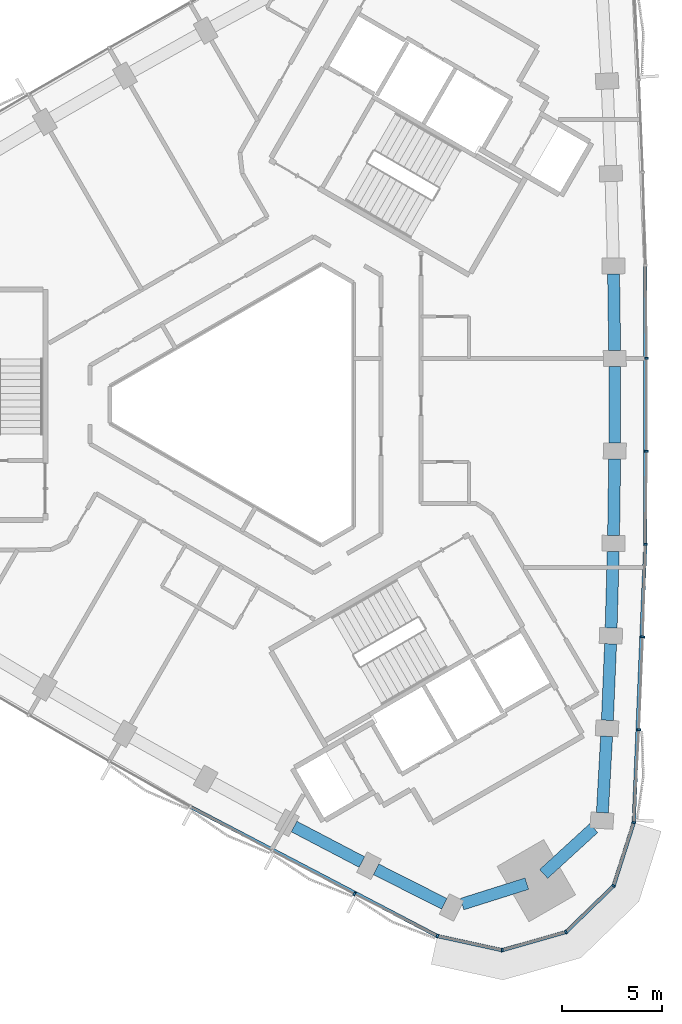
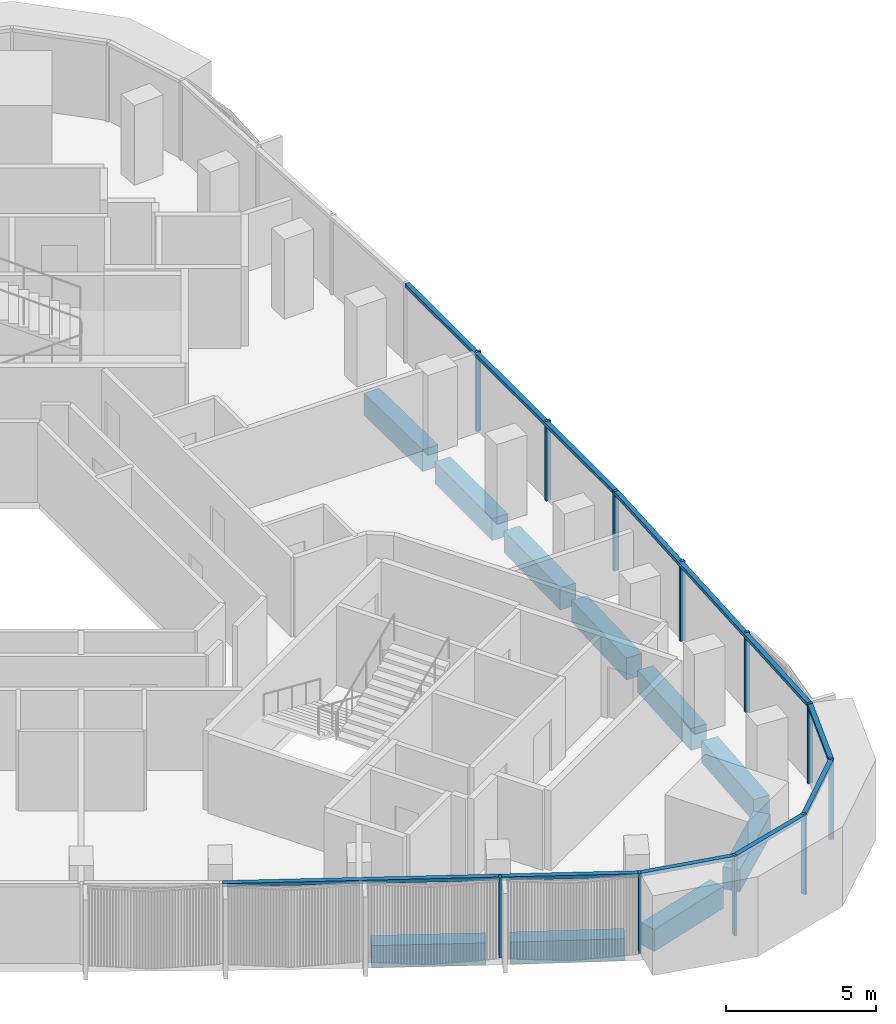
# One storey, part 3 of 13: 18 members, 10 beams, 2 elements without a shape of their own.
"""IFC4 building model written with IfcOpenShell, lengths in metres."""

import ifcopenshell
import ifcopenshell.guid

model = None  # the IFC model being written
_history = None  # IfcOwnerHistory: only IFC2X3 demands one
_inside = {}  # id of a spatial element -> (the spatial element, [elements in it])
_under = {}  # id of a project, library or spatial element -> (it, [spatial elements below it])
_declared = {}  # id of a project -> (the project, [libraries it declares])
_typed = {}  # id of a type object -> (the type object, [elements of that type])
_made_of = {}  # id of a material, layer set ... -> (it, [elements and type objects made of it])


def new_model(schema):
    """Start an empty IFC model of exactly this schema.

    Asked for "IFC4X3", IfcOpenShell would pick the latest addendum, in which some entities
    have other attributes; the version numbers below select the first issue.
    IFC2X3 requires an IfcOwnerHistory on every rooted entity: one is made here for all.
    """
    global model, _history
    if schema == "IFC4X3":
        model = ifcopenshell.file(schema_version=(4, 3, 0, 0))
    else:
        model = ifcopenshell.file(schema=schema)
    _inside.clear()
    _under.clear()
    _declared.clear()
    _typed.clear()
    _made_of.clear()
    _history = None
    if model.schema == "IFC2X3":
        org = make("IfcOrganization", Name="unknown")
        user = make(
            "IfcPersonAndOrganization",
            ThePerson=make("IfcPerson", FamilyName="unknown"),
            TheOrganization=org,
        )
        app = make(
            "IfcApplication",
            ApplicationDeveloper=org,
            Version="unknown",
            ApplicationFullName="unknown",
            ApplicationIdentifier="unknown",
        )
        _history = make(
            "IfcOwnerHistory",
            OwningUser=user,
            OwningApplication=app,
            ChangeAction="ADDED",
            CreationDate=0,
        )
    return model


def make(cls, **values):
    """One entity of the class cls with the attributes given. An attribute that is None is left unset."""
    return model.create_entity(
        cls, **{name: value for name, value in values.items() if value is not None}
    )


def rooted(cls, **values):
    """An entity with a GlobalId (a new one), such as an element, a storey or a relation."""
    return make(cls, GlobalId=ifcopenshell.guid.new(), OwnerHistory=_history, **values)


def si_unit(unit_type, name, prefix=None):
    """IfcSIUnit, for example si_unit("LENGTHUNIT", "METRE", prefix="MILLI")."""
    return make("IfcSIUnit", UnitType=unit_type, Prefix=prefix, Name=name)


def assignment(units):
    """IfcUnitAssignment: the units of a project."""
    return None if units is None else make("IfcUnitAssignment", Units=units)


def point(xyz):
    """IfcCartesianPoint."""
    return None if xyz is None else make("IfcCartesianPoint", Coordinates=xyz)


def direction(xyz):
    """IfcDirection."""
    return None if xyz is None else make("IfcDirection", DirectionRatios=xyz)


def frame(location, z_axis=None, x_axis=None):
    """IfcAxis2Placement3D, a coordinate frame: its origin and axes. An axis left out is left unset."""
    return make(
        "IfcAxis2Placement3D",
        Location=point(location),
        Axis=direction(z_axis),
        RefDirection=direction(x_axis),
    )


def frame_2d(location, x_axis=None):
    """IfcAxis2Placement2D, a coordinate frame in the plane: its origin and x axis."""
    return make(
        "IfcAxis2Placement2D", Location=point(location), RefDirection=direction(x_axis)
    )


def origin():
    """The frame at (0, 0, 0) with its axes left unset."""
    return frame((0.0, 0.0, 0.0))


def origin_2d():
    """The frame at (0, 0) in the plane with its x axis left unset."""
    return frame_2d((0.0, 0.0))


def place(relative_to, where):
    """IfcLocalPlacement: puts the frame where relative to a parent placement (None: the world)."""
    return make(
        "IfcLocalPlacement", PlacementRelTo=relative_to, RelativePlacement=where
    )


def context(
    kind, dimensions, precision=None, world=None, true_north=None, identifier=None
):
    """IfcGeometricRepresentationContext, for example the 3D "Model" context."""
    return make(
        "IfcGeometricRepresentationContext",
        ContextIdentifier=identifier,
        ContextType=kind,
        CoordinateSpaceDimension=dimensions,
        Precision=precision,
        WorldCoordinateSystem=world,
        TrueNorth=true_north,
    )


def subcontext(parent, identifier, kind, view, scale=None):
    """IfcGeometricRepresentationSubContext, for example "Body" below "Model"."""
    return make(
        "IfcGeometricRepresentationSubContext",
        ContextIdentifier=identifier,
        ContextType=kind,
        ParentContext=parent,
        TargetScale=scale,
        TargetView=view,
    )


def project(units=None, contexts=None):
    """IfcProject with its units and contexts."""
    return rooted(
        "IfcProject",
        Name="project",
        RepresentationContexts=contexts,
        UnitsInContext=assignment(units),
    )


def spatial(cls, under=None, at=None, **own):
    """A site, building, storey or space (cls), placed at a placement, below another one or the project."""
    s = rooted(cls, ObjectPlacement=at, **own)
    if under is not None:
        _under.setdefault(under.id(), (under, []))[1].append(s)
    return s


def profile(cls, at=None, kind="AREA", **sizes):
    """A parametric profile (cls). Its sizes go by their IFC names, for example OverallWidth=200.0."""
    return make(cls, ProfileType=kind, Position=at, **sizes)


def rectangle(**sizes):
    """IfcRectangleProfileDef."""
    return profile("IfcRectangleProfileDef", **sizes)


def extrude(swept, where, along, depth):
    """IfcExtrudedAreaSolid: the profile swept, set in the frame where, extruded along a direction by depth."""
    return make(
        "IfcExtrudedAreaSolid",
        SweptArea=swept,
        Position=where,
        ExtrudedDirection=direction(along),
        Depth=depth,
    )


def shape(context_of_items, identifier, shape_type, items):
    """IfcShapeRepresentation: the items that make up one representation, for example the "Body"."""
    return make(
        "IfcShapeRepresentation",
        ContextOfItems=context_of_items,
        RepresentationIdentifier=identifier,
        RepresentationType=shape_type,
        Items=items,
    )


def material(Name=None, Category=None):
    """IfcMaterial."""
    return make("IfcMaterial", Name=Name, Category=Category)


def material_profile(
    of_material, cross_section, Name=None, Category=None, Priority=None
):
    """IfcMaterialProfile: a cross section and its material."""
    return make(
        "IfcMaterialProfile",
        Name=Name,
        Material=of_material,
        Profile=cross_section,
        Priority=Priority,
        Category=Category,
    )


def profile_set(profiles, Name=None, composite=None):
    """IfcMaterialProfileSet."""
    return make(
        "IfcMaterialProfileSet",
        Name=Name,
        MaterialProfiles=profiles,
        CompositeProfile=composite,
    )


def made_of(thing, what):
    """Note that an element or type object is made of a material, layer set ...; save() writes the relation."""
    if what is not None:
        _made_of.setdefault(what.id(), (what, []))[1].append(thing)
    return thing


def type_object(cls, material=None, **own):
    """A type object (cls), such as IfcWallType, which elements share."""
    return made_of(rooted(cls, **own), material)


def element(
    cls,
    number,
    at=None,
    inside=None,
    cuts=None,
    type_object=None,
    material=None,
    context=None,
    identifier="Body",
    shape_type=None,
    held_by="IfcProductDefinitionShape",
    body=None,
    shapes=None,
    **own,
):
    """One element of the class cls, such as IfcWall. Its Tag is "e" and its number.

    at: its placement. inside: the storey or other place that contains it. cuts: it is an
    opening in that element (IfcRelVoidsElement). A single representation is given by context,
    identifier, shape_type and body (its items); several are given by shapes. held_by: the class
    of the entity that holds the representations. save() writes the other relations.
    """
    e = rooted(cls, Tag="e%d" % number, ObjectPlacement=at, **own)
    if body is not None:
        shapes = [shape(context, identifier, shape_type, body)]
    if shapes is not None:
        e.Representation = make(held_by, Representations=shapes)
    if inside is not None:
        _inside.setdefault(inside.id(), (inside, []))[1].append(e)
    if cuts is not None:
        rooted(
            "IfcRelVoidsElement", RelatingBuildingElement=cuts, RelatedOpeningElement=e
        )
    if type_object is not None:
        _typed.setdefault(type_object.id(), (type_object, []))[1].append(e)
    return made_of(e, material)


def aggregate(whole, parts):
    """IfcRelAggregates: a whole, such as a stair, and the parts it consists of."""
    return rooted("IfcRelAggregates", RelatingObject=whole, RelatedObjects=parts)


def save(model, path):
    """Write the relations noted so far, then the file.

    IfcRelAggregates (storeys below a building ...), IfcRelContainedInSpatialStructure (elements
    in a storey), IfcRelDefinesByType, IfcRelAssociatesMaterial and IfcRelDeclares: one each for
    every whole, place, type object, material and project.
    """
    for whole, parts in _under.values():
        aggregate(whole, parts)
    for where, things in _inside.values():
        rooted(
            "IfcRelContainedInSpatialStructure",
            RelatedElements=things,
            RelatingStructure=where,
        )
    for kind, things in _typed.values():
        rooted("IfcRelDefinesByType", RelatedObjects=things, RelatingType=kind)
    for what, things in _made_of.values():
        rooted("IfcRelAssociatesMaterial", RelatedObjects=things, RelatingMaterial=what)
    for by, libraries in _declared.values():
        rooted("IfcRelDeclares", RelatingContext=by, RelatedDefinitions=libraries)
    model.write(path)


model = new_model("IFC4")

# Units and contexts
model_context = context("Model", 3, precision=1e-05, world=origin(), true_north=direction((0.0, 1.0)))
body_context = subcontext(model_context, "Body", "Model", "MODEL_VIEW")
ifc_project = project(units=[si_unit("LENGTHUNIT", "METRE"), si_unit("AREAUNIT", "SQUARE_METRE"), si_unit("VOLUMEUNIT", "CUBIC_METRE"), si_unit("PLANEANGLEUNIT", "RADIAN"), si_unit("MASSUNIT", "GRAM", prefix="KILO")], contexts=[model_context])

# Site, building, storey
site_placement = place(None, origin())
site = spatial("IfcSite", under=ifc_project, at=site_placement, CompositionType="ELEMENT")
building_placement = place(site_placement, origin())
building = spatial("IfcBuilding", under=site, at=building_placement, Name="Tamra Quay Hotel Tower", CompositionType="ELEMENT")
storey_placement = place(building_placement, frame((0.0, 0.0, 182.800048828125)))
storey = spatial("IfcBuildingStorey", under=building, at=storey_placement, Name="L45", CompositionType="ELEMENT", Elevation=182.800048828125)

# Curtain wall, members
ifc_material_1 = material(Name="Aluminium 6063 anodised dark grey", Category="aluminium")
curtain_wall_type_1 = type_object("IfcCurtainWallType", Name="CW1 CURTAIN WALL", PredefinedType="NOTDEFINED", material=ifc_material_1)
curtain_wall_1_placement = place(storey_placement, origin())
curtain_wall_1 = element("IfcCurtainWall", 1, at=curtain_wall_1_placement, inside=storey, type_object=curtain_wall_type_1, Name="CW1 east face L45", PredefinedType="NOTDEFINED")
ifc_material_profile_1 = material_profile(ifc_material_1, rectangle(XDim=0.179931640625, YDim=0.10009765625, at=origin_2d()), Name="MULLION 100X180")
ifc_profile_set_1 = profile_set([ifc_material_profile_1], Name="Aluminium 6063 anodised dark grey")
member_type_1 = type_object("IfcMemberType", Name="MULLION CW1 Z4", PredefinedType="MULLION", material=ifc_profile_set_1)
member_1_placement = place(storey_placement, frame((18.665283203125, -20.955078125, 0.0), z_axis=(0.0, 0.0, 1.0), x_axis=(0.983509429279, -0.180856856435, 0.0)))
member_1 = element("IfcMember", 2, at=member_1_placement, type_object=member_type_1, Name="CW1 mullion L45.E.1", PredefinedType="MULLION", context=body_context, shape_type="SweptSolid", body=[
    extrude(rectangle(XDim=0.179931640625, YDim=0.10009765625, at=origin_2d()), origin(), (0.0, 0.0, 1.0), 3.25),
])
member_2_placement = place(storey_placement, frame((18.923583984375, -16.302734375, 0.0), z_axis=(0.0, 0.0, 1.0), x_axis=(0.998822718062, -0.048509564873, 0.0)))
member_2 = element("IfcMember", 3, at=member_2_placement, type_object=member_type_1, Name="CW1 mullion L45.E.2", PredefinedType="MULLION", context=body_context, shape_type="SweptSolid", body=[
    extrude(rectangle(XDim=0.179931640625, YDim=0.10009765625, at=origin_2d()), origin(), (0.0, 0.0, 1.0), 3.25),
])
member_3_placement = place(storey_placement, frame((19.117431640625, -11.646728515625, 0.0), z_axis=(0.0, 0.0, 1.0), x_axis=(0.999398551389, -0.034677593353, 0.0)))
member_3 = element("IfcMember", 4, at=member_3_placement, type_object=member_type_1, Name="CW1 mullion L45.E.3", PredefinedType="MULLION", context=body_context, shape_type="SweptSolid", body=[
    extrude(rectangle(XDim=0.179931640625, YDim=0.10009765625, at=origin_2d()), origin(), (0.0, 0.0, 1.0), 3.25),
])
member_4_placement = place(storey_placement, frame((19.246826171875, -6.989501953125, 0.0), z_axis=(0.0, 0.0, 1.0), x_axis=(0.999783233149, -0.020820343761, 0.0)))
member_4 = element("IfcMember", 5, at=member_4_placement, type_object=member_type_1, Name="CW1 mullion L45.E.4", PredefinedType="MULLION", context=body_context, shape_type="SweptSolid", body=[
    extrude(rectangle(XDim=0.179931640625, YDim=0.10009765625, at=origin_2d()), origin(), (0.0, 0.0, 1.0), 3.25),
])
member_5_placement = place(storey_placement, frame((19.3115234375, -2.330078125, 0.0), z_axis=(0.0, 0.0, 1.0), x_axis=(0.999975895943, -0.006943164489, 0.0)))
member_5 = element("IfcMember", 6, at=member_5_placement, type_object=member_type_1, Name="CW1 mullion L45.E.5", PredefinedType="MULLION", context=body_context, shape_type="SweptSolid", body=[
    extrude(rectangle(XDim=0.179931640625, YDim=0.10009765625, at=origin_2d()), origin(), (0.0, 0.0, 1.0), 3.25),
])
member_6_placement = place(storey_placement, frame((19.3115234375, 2.330078125, 0.0), z_axis=(0.0, 0.0, 1.0), x_axis=(0.999975895943, 0.006943164489, 0.0)))
member_6 = element("IfcMember", 7, at=member_6_placement, type_object=member_type_1, Name="CW1 mullion L45.E.6", PredefinedType="MULLION", context=body_context, shape_type="SweptSolid", body=[
    extrude(rectangle(XDim=0.179931640625, YDim=0.10009765625, at=origin_2d()), origin(), (0.0, 0.0, 1.0), 3.25),
])

curtain_wall_type_2 = type_object("IfcCurtainWallType", Name="CW3 CURTAIN WALL", PredefinedType="NOTDEFINED", material=ifc_material_1)
curtain_wall_2_placement = place(storey_placement, origin())
curtain_wall_2 = element("IfcCurtainWall", 8, at=curtain_wall_2_placement, inside=storey, type_object=curtain_wall_type_2, Name="CW3 south-west face L45", PredefinedType="NOTDEFINED")
ifc_material_profile_2 = material_profile(ifc_material_1, rectangle(XDim=0.179931640625, YDim=0.10009765625, at=origin_2d()), Name="MULLION 100X180")
ifc_profile_set_2 = profile_set([ifc_material_profile_2], Name="Aluminium 6063 anodised dark grey")
member_type_2 = type_object("IfcMemberType", Name="MULLION CW3 Z4", PredefinedType="MULLION", material=ifc_profile_set_2)
member_7_placement = place(storey_placement, frame((4.65673828125, -24.539794921875, 0.0), z_axis=(0.0, 0.0, 1.0), x_axis=(-0.457400843524, -0.889260630155, 0.0)))
member_7 = element("IfcMember", 9, at=member_7_placement, type_object=member_type_2, Name="CW3 mullion L45.SW.9", PredefinedType="MULLION", context=body_context, shape_type="SweptSolid", body=[
    extrude(rectangle(XDim=0.179931640625, YDim=0.10009765625, at=origin_2d()), origin(), (0.0, 0.0, 1.0), 3.25),
])
member_8_placement = place(storey_placement, frame((8.81494140625, -26.642333984375, 0.0), z_axis=(0.0, 0.0, 1.0), x_axis=(-0.335128082518, -0.942172578834, 0.0)))
member_8 = element("IfcMember", 10, at=member_8_placement, type_object=member_type_2, Name="CW3 mullion L45.SW.10", PredefinedType="MULLION", context=body_context, shape_type="SweptSolid", body=[
    extrude(rectangle(XDim=0.179931640625, YDim=0.10009765625, at=origin_2d()), origin(), (0.0, 0.0, 1.0), 3.25),
])
member_9_placement = place(storey_placement, frame((12.06591796875, -27.353271484375, 0.0), z_axis=(0.0, 0.0, 1.0), x_axis=(0.030975337936, -0.999520149091, 0.0)))
member_9 = element("IfcMember", 11, at=member_9_placement, type_object=member_type_2, Name="CW3 mullion L45.SW.11", PredefinedType="MULLION", context=body_context, shape_type="SweptSolid", body=[
    extrude(rectangle(XDim=0.179931640625, YDim=0.10009765625, at=origin_2d()), origin(), (0.0, 0.0, 1.0), 3.25),
])
member_10_placement = place(storey_placement, frame((15.2666015625, -26.4423828125, 0.0), z_axis=(0.0, 0.0, 1.0), x_axis=(0.5, -0.866025403784, 0.0)))
member_10 = element("IfcMember", 12, at=member_10_placement, type_object=member_type_2, Name="CW3 mullion L45.SW.12", PredefinedType="MULLION", context=body_context, shape_type="SweptSolid", body=[
    extrude(rectangle(XDim=0.179931640625, YDim=0.10009765625, at=origin_2d()), origin(), (0.0, 0.0, 1.0), 3.25),
])
member_11_placement = place(storey_placement, frame((17.65576171875, -24.1259765625, 0.0), z_axis=(0.0, 0.0, 1.0), x_axis=(0.85012217174, -0.526585504089, 0.0)))
member_11 = element("IfcMember", 13, at=member_11_placement, type_object=member_type_2, Name="CW3 mullion L45.SW.13", PredefinedType="MULLION", context=body_context, shape_type="SweptSolid", body=[
    extrude(rectangle(XDim=0.179931640625, YDim=0.10009765625, at=origin_2d()), origin(), (0.0, 0.0, 1.0), 3.25),
])

# Beams
ifc_material_2 = material(Name="Concrete M60", Category="concrete")
ifc_material_profile_3 = material_profile(ifc_material_2, rectangle(XDim=0.60009765625, YDim=0.89990234375, at=origin_2d()), Name="SPANDREL BEAM RC 600x900")
ifc_profile_set_3 = profile_set([ifc_material_profile_3], Name="Concrete M60")
beam_type = type_object("IfcBeamType", Name="SPANDREL BEAM RC 600x900", PredefinedType="SPANDREL", material=ifc_profile_set_3)
beam_1_placement = place(storey_placement, frame((17.091796875, -20.456787109375, -0.800048828125), z_axis=(0.055346700292, 0.99846719664, 0.0), x_axis=(-0.99846719664, 0.055346700292, 0.0)))
element("IfcBeam", 14, at=beam_1_placement, inside=storey, type_object=beam_type, Name="BM-SP4-000-L45", PredefinedType="SPANDREL", context=body_context, shape_type="SweptSolid", body=[
    extrude(rectangle(XDim=0.60009765625, YDim=0.89990234375, at=origin_2d()), origin(), (0.0, 0.0, 1.0), 3.837646484375),
])
beam_2_placement = place(storey_placement, frame((17.343017578125, -15.82568359375, -0.800048828125), z_axis=(0.041609373826, 0.999133954988, 0.0), x_axis=(-0.999133954988, 0.041609373826, 0.0)))
element("IfcBeam", 15, at=beam_2_placement, inside=storey, type_object=beam_type, Name="BM-SP4-001-L45", PredefinedType="SPANDREL", context=body_context, shape_type="SweptSolid", body=[
    extrude(rectangle(XDim=0.60009765625, YDim=0.89990234375, at=origin_2d()), origin(), (0.0, 0.0, 1.0), 3.83740234375),
])
beam_3_placement = place(storey_placement, frame((17.530517578125, -11.192138671875, -0.800048828125), z_axis=(0.02773528523, 0.999615302981, 0.0), x_axis=(-0.999615302981, 0.02773528523, 0.0)))
element("IfcBeam", 16, at=beam_3_placement, inside=storey, type_object=beam_type, Name="BM-SP4-002-L45", PredefinedType="SPANDREL", context=body_context, shape_type="SweptSolid", body=[
    extrude(rectangle(XDim=0.60009765625, YDim=0.89990234375, at=origin_2d()), origin(), (0.0, 0.0, 1.0), 3.837890625),
])
for number, where, z_axis, x_axis, name in (
    (17, (17.65380859375, -6.555908203125, -0.800048828125), (0.01380539035, 0.999904701058, 0.0), (-0.999904701058, 0.01380539035, 0.0), "BM-SP4-003-L45"),
    (18, (17.71240234375, -1.918701171875, -0.800048828125), (0.0, 1.0, 0.0), (-1.0, 0.0, 0.0), "BM-SP4-004-L45"),
    (19, (17.706787109375, 2.71875, -0.800048828125), (-0.01380539035, 0.999904701058, 0.0), (-0.999904701058, -0.01380539035, 0.0), "BM-SP4-005-L45"),
    (20, (1.6337890625, -21.153564453125, -0.800048828125), (0.886043134182, -0.463602808845, 0.0), (0.463602808845, 0.886043134182, 0.0), "BM-SP4-029-L45"),
):
    element("IfcBeam", number, at=place(storey_placement, frame(where, z_axis=z_axis, x_axis=x_axis)), inside=storey, type_object=beam_type, Name=name, PredefinedType="SPANDREL", context=body_context, shape_type="SweptSolid", body=[
        extrude(rectangle(XDim=0.60009765625, YDim=0.89990234375, at=origin_2d()), origin(), (0.0, 0.0, 1.0), 3.83740234375),
    ])
beam_4_placement = place(storey_placement, frame((5.745361328125, -23.29833984375, -0.800048828125), z_axis=(0.892407883039, -0.451229620359, 0.0), x_axis=(0.451229620359, 0.892407883039, 0.0)))
element("IfcBeam", 21, at=beam_4_placement, inside=storey, type_object=beam_type, Name="BM-SP4-030-L45", PredefinedType="SPANDREL", context=body_context, shape_type="SweptSolid", body=[
    extrude(rectangle(XDim=0.60009765625, YDim=0.89990234375, at=origin_2d()), origin(), (0.0, 0.0, 1.0), 3.837646484375),
])
beam_5_placement = place(storey_placement, frame((10.057373046875, -25.043212890625, -0.800048828125), z_axis=(0.953502415748, 0.301385373174, 0.0), x_axis=(-0.301385373174, 0.953502415748, 0.0)))
element("IfcBeam", 22, at=beam_5_placement, inside=storey, type_object=beam_type, Name="BM-SP4-031-L45", PredefinedType="SPANDREL", context=body_context, shape_type="SweptSolid", body=[
    extrude(rectangle(XDim=0.60009765625, YDim=0.89990234375, at=origin_2d()), origin(), (0.0, 0.0, 1.0), 3.40380859375),
])
beam_6_placement = place(storey_placement, frame((14.14794921875, -23.52978515625, -0.800048828125), z_axis=(0.737716497183, 0.675110635218, 0.0), x_axis=(-0.675110635218, 0.737716497183, 0.0)))
element("IfcBeam", 23, at=beam_6_placement, inside=storey, type_object=beam_type, Name="BM-SP4-032-L45", PredefinedType="SPANDREL", context=body_context, shape_type="SweptSolid", body=[
    extrude(rectangle(XDim=0.60009765625, YDim=0.89990234375, at=origin_2d()), origin(), (0.0, 0.0, 1.0), 3.404296875),
])

# Member
ifc_material_profile_4 = material_profile(ifc_material_1, rectangle(XDim=0.179931640625, YDim=0.139892578125, at=origin_2d()), Name="TRANSOM 180X140")
ifc_profile_set_4 = profile_set([ifc_material_profile_4], Name="Aluminium 6063 anodised dark grey")
member_type_3 = type_object("IfcMemberType", Name="TRANSOM CW1 Z4", PredefinedType="USERDEFINED", material=ifc_profile_set_4)
member_12_placement = place(storey_placement, frame((18.668212890625, -20.9052734375, 3.179931640625), z_axis=(0.041588103727, 0.999134840564, 0.0), x_axis=(-0.999134840564, 0.041588103727, 0.0)))
member_12 = element("IfcMember", 24, at=member_12_placement, type_object=member_type_3, Name="CW1 transom L45.E.1", ObjectType="TRANSOM", PredefinedType="USERDEFINED", context=body_context, shape_type="SweptSolid", body=[
    extrude(rectangle(XDim=0.179931640625, YDim=0.139892578125, at=origin_2d()), origin(), (0.0, 0.0, 1.0), 13.877685546875),
])

member_13_placement = place(storey_placement, frame((19.24755859375, -6.939453125, 3.179931640625), z_axis=(0.0, 1.0, 0.0), x_axis=(-1.0, 0.0, 0.0)))
member_13 = element("IfcMember", 25, at=member_13_placement, type_object=member_type_3, Name="CW1 transom L45.E.4", ObjectType="TRANSOM", PredefinedType="USERDEFINED", context=body_context, shape_type="SweptSolid", body=[
    extrude(rectangle(XDim=0.179931640625, YDim=0.139892578125, at=origin_2d()), origin(), (0.0, 0.0, 1.0), 13.87890625),
])

aggregate(curtain_wall_1, [member_1, member_12, member_2, member_3, member_4, member_13, member_5, member_6])

ifc_material_profile_5 = material_profile(ifc_material_1, rectangle(XDim=0.179931640625, YDim=0.139892578125, at=origin_2d()), Name="TRANSOM 180X140")
ifc_profile_set_5 = profile_set([ifc_material_profile_5], Name="Aluminium 6063 anodised dark grey")
member_type_4 = type_object("IfcMemberType", Name="TRANSOM CW3 Z4", PredefinedType="USERDEFINED", material=ifc_profile_set_5)
member_14_placement = place(storey_placement, frame((-3.5263671875, -20.186767578125, 3.179931640625), z_axis=(0.886075202027, -0.463541515242, 0.0), x_axis=(0.463541515242, 0.886075202027, 0.0)))
member_14 = element("IfcMember", 26, at=member_14_placement, type_object=member_type_4, Name="CW3 transom L45.SW.7", ObjectType="TRANSOM", PredefinedType="USERDEFINED", context=body_context, shape_type="SweptSolid", body=[
    extrude(rectangle(XDim=0.179931640625, YDim=0.139892578125, at=origin_2d()), origin(), (0.0, 0.0, 1.0), 13.877685546875),
])

member_15_placement = place(storey_placement, frame((8.86376953125, -26.65283203125, 3.179931640625), z_axis=(0.976905938147, -0.21366981072, 0.0), x_axis=(0.21366981072, 0.976905938147, 0.0)))
member_15 = element("IfcMember", 27, at=member_15_placement, type_object=member_type_4, Name="CW3 transom L45.SW.10", ObjectType="TRANSOM", PredefinedType="USERDEFINED", context=body_context, shape_type="SweptSolid", body=[
    extrude(rectangle(XDim=0.179931640625, YDim=0.139892578125, at=origin_2d()), origin(), (0.0, 0.0, 1.0), 3.227783203125),
])

member_16_placement = place(storey_placement, frame((12.114013671875, -27.339599609375, 3.179931640625), z_axis=(0.961806009168, 0.273731987038, 0.0), x_axis=(-0.273731987038, 0.961806009168, 0.0)))
member_16 = element("IfcMember", 28, at=member_16_placement, type_object=member_type_4, Name="CW3 transom L45.SW.11", ObjectType="TRANSOM", PredefinedType="USERDEFINED", context=body_context, shape_type="SweptSolid", body=[
    extrude(rectangle(XDim=0.179931640625, YDim=0.139892578125, at=origin_2d()), origin(), (0.0, 0.0, 1.0), 3.227783203125),
])

member_17_placement = place(storey_placement, frame((15.302490234375, -26.407470703125, 3.179931640625), z_axis=(0.717989739808, 0.696053685811, 0.0), x_axis=(-0.696053685811, 0.717989739808, 0.0)))
member_17 = element("IfcMember", 29, at=member_17_placement, type_object=member_type_4, Name="CW3 transom L45.SW.12", ObjectType="TRANSOM", PredefinedType="USERDEFINED", context=body_context, shape_type="SweptSolid", body=[
    extrude(rectangle(XDim=0.179931640625, YDim=0.139892578125, at=origin_2d()), origin(), (0.0, 0.0, 1.0), 3.2275390625),
])

member_18_placement = place(storey_placement, frame((17.6708984375, -24.078369140625, 3.179931640625), z_axis=(0.303378482034, 0.952870136293, 0.0), x_axis=(-0.952870136293, 0.303378482034, 0.0)))
member_18 = element("IfcMember", 30, at=member_18_placement, type_object=member_type_4, Name="CW3 transom L45.SW.13", ObjectType="TRANSOM", PredefinedType="USERDEFINED", context=body_context, shape_type="SweptSolid", body=[
    extrude(rectangle(XDim=0.179931640625, YDim=0.139892578125, at=origin_2d()), origin(), (0.0, 0.0, 1.0), 3.227783203125),
])

aggregate(curtain_wall_2, [member_14, member_7, member_8, member_15, member_9, member_16, member_10, member_17, member_11, member_18])

save(model, "model.ifc")
